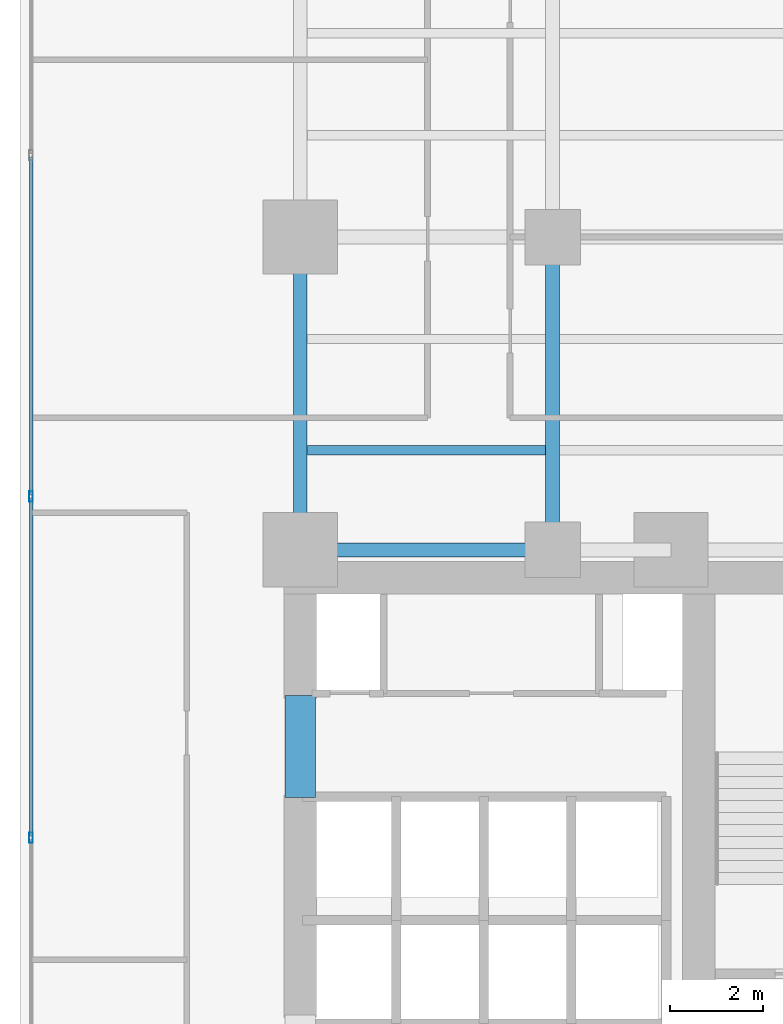
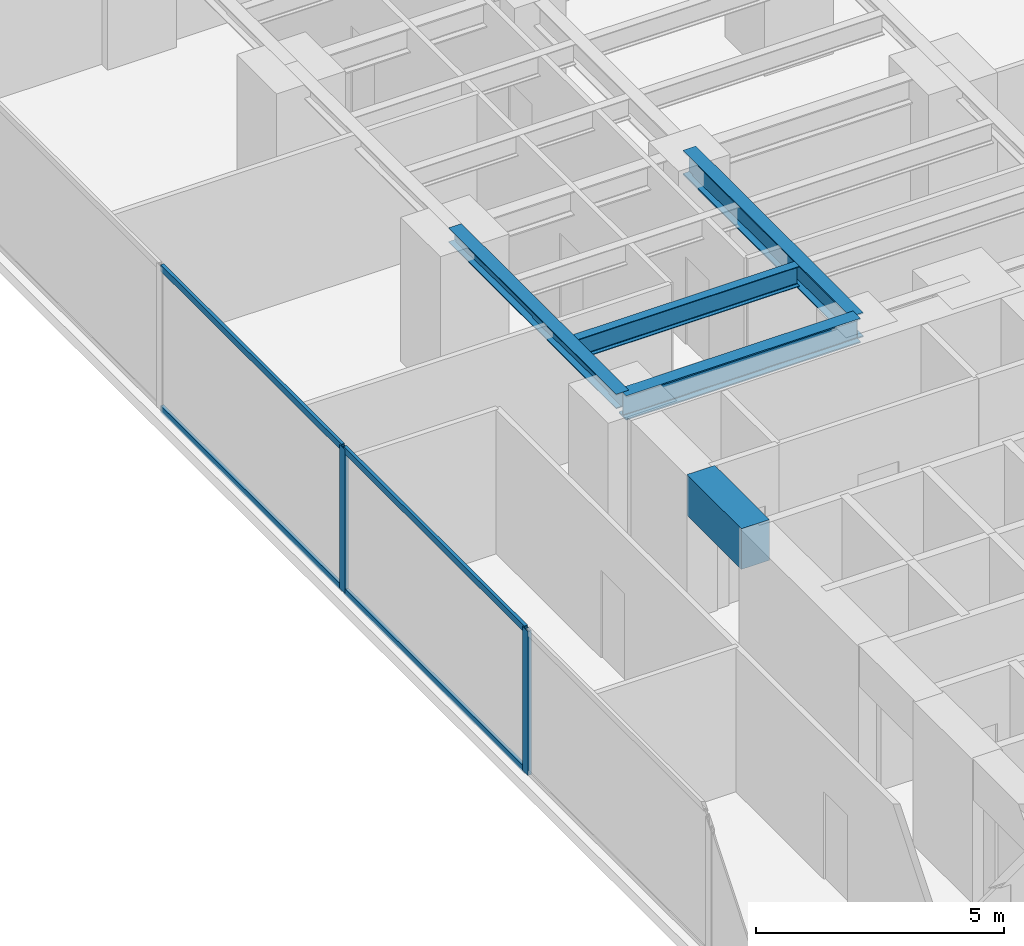
# One storey, part 6 of 27: 6 members, 5 beams, 1 element without a shape of its own.
"""IFC4 building model written with IfcOpenShell, lengths in metres."""

import ifcopenshell
import ifcopenshell.guid

model = None  # the IFC model being written
_history = None  # IfcOwnerHistory: only IFC2X3 demands one
_inside = {}  # id of a spatial element -> (the spatial element, [elements in it])
_under = {}  # id of a project, library or spatial element -> (it, [spatial elements below it])
_declared = {}  # id of a project -> (the project, [libraries it declares])
_typed = {}  # id of a type object -> (the type object, [elements of that type])
_made_of = {}  # id of a material, layer set ... -> (it, [elements and type objects made of it])


def new_model(schema):
    """Start an empty IFC model of exactly this schema.

    Asked for "IFC4X3", IfcOpenShell would pick the latest addendum, in which some entities
    have other attributes; the version numbers below select the first issue.
    IFC2X3 requires an IfcOwnerHistory on every rooted entity: one is made here for all.
    """
    global model, _history
    if schema == "IFC4X3":
        model = ifcopenshell.file(schema_version=(4, 3, 0, 0))
    else:
        model = ifcopenshell.file(schema=schema)
    _inside.clear()
    _under.clear()
    _declared.clear()
    _typed.clear()
    _made_of.clear()
    _history = None
    if model.schema == "IFC2X3":
        org = make("IfcOrganization", Name="unknown")
        user = make(
            "IfcPersonAndOrganization",
            ThePerson=make("IfcPerson", FamilyName="unknown"),
            TheOrganization=org,
        )
        app = make(
            "IfcApplication",
            ApplicationDeveloper=org,
            Version="unknown",
            ApplicationFullName="unknown",
            ApplicationIdentifier="unknown",
        )
        _history = make(
            "IfcOwnerHistory",
            OwningUser=user,
            OwningApplication=app,
            ChangeAction="ADDED",
            CreationDate=0,
        )
    return model


def make(cls, **values):
    """One entity of the class cls with the attributes given. An attribute that is None is left unset."""
    return model.create_entity(
        cls, **{name: value for name, value in values.items() if value is not None}
    )


def rooted(cls, **values):
    """An entity with a GlobalId (a new one), such as an element, a storey or a relation."""
    return make(cls, GlobalId=ifcopenshell.guid.new(), OwnerHistory=_history, **values)


def si_unit(unit_type, name, prefix=None):
    """IfcSIUnit, for example si_unit("LENGTHUNIT", "METRE", prefix="MILLI")."""
    return make("IfcSIUnit", UnitType=unit_type, Prefix=prefix, Name=name)


def assignment(units):
    """IfcUnitAssignment: the units of a project."""
    return None if units is None else make("IfcUnitAssignment", Units=units)


def point(xyz):
    """IfcCartesianPoint."""
    return None if xyz is None else make("IfcCartesianPoint", Coordinates=xyz)


def direction(xyz):
    """IfcDirection."""
    return None if xyz is None else make("IfcDirection", DirectionRatios=xyz)


def frame(location, z_axis=None, x_axis=None):
    """IfcAxis2Placement3D, a coordinate frame: its origin and axes. An axis left out is left unset."""
    return make(
        "IfcAxis2Placement3D",
        Location=point(location),
        Axis=direction(z_axis),
        RefDirection=direction(x_axis),
    )


def frame_2d(location, x_axis=None):
    """IfcAxis2Placement2D, a coordinate frame in the plane: its origin and x axis."""
    return make(
        "IfcAxis2Placement2D", Location=point(location), RefDirection=direction(x_axis)
    )


def origin():
    """The frame at (0, 0, 0) with its axes left unset."""
    return frame((0.0, 0.0, 0.0))


def origin_with_axes():
    """The frame at (0, 0, 0) with the z axis (0, 0, 1) and the x axis (1, 0, 0) written out."""
    return frame((0.0, 0.0, 0.0), z_axis=(0.0, 0.0, 1.0), x_axis=(1.0, 0.0, 0.0))


def origin_2d():
    """The frame at (0, 0) in the plane with its x axis left unset."""
    return frame_2d((0.0, 0.0))


def place(relative_to, where):
    """IfcLocalPlacement: puts the frame where relative to a parent placement (None: the world)."""
    return make(
        "IfcLocalPlacement", PlacementRelTo=relative_to, RelativePlacement=where
    )


def context(
    kind, dimensions, precision=None, world=None, true_north=None, identifier=None
):
    """IfcGeometricRepresentationContext, for example the 3D "Model" context."""
    return make(
        "IfcGeometricRepresentationContext",
        ContextIdentifier=identifier,
        ContextType=kind,
        CoordinateSpaceDimension=dimensions,
        Precision=precision,
        WorldCoordinateSystem=world,
        TrueNorth=true_north,
    )


def subcontext(parent, identifier, kind, view, scale=None):
    """IfcGeometricRepresentationSubContext, for example "Body" below "Model"."""
    return make(
        "IfcGeometricRepresentationSubContext",
        ContextIdentifier=identifier,
        ContextType=kind,
        ParentContext=parent,
        TargetScale=scale,
        TargetView=view,
    )


def project(units=None, contexts=None):
    """IfcProject with its units and contexts."""
    return rooted(
        "IfcProject",
        Name="project",
        RepresentationContexts=contexts,
        UnitsInContext=assignment(units),
    )


def spatial(cls, under=None, at=None, **own):
    """A site, building, storey or space (cls), placed at a placement, below another one or the project."""
    s = rooted(cls, ObjectPlacement=at, **own)
    if under is not None:
        _under.setdefault(under.id(), (under, []))[1].append(s)
    return s


def profile(cls, at=None, kind="AREA", **sizes):
    """A parametric profile (cls). Its sizes go by their IFC names, for example OverallWidth=200.0."""
    return make(cls, ProfileType=kind, Position=at, **sizes)


def rectangle(**sizes):
    """IfcRectangleProfileDef."""
    return profile("IfcRectangleProfileDef", **sizes)


def hollow_rectangle(**sizes):
    """IfcRectangleHollowProfileDef."""
    return profile("IfcRectangleHollowProfileDef", **sizes)


def i_section(**sizes):
    """IfcIShapeProfileDef."""
    return profile("IfcIShapeProfileDef", **sizes)


def extrude(swept, where, along, depth):
    """IfcExtrudedAreaSolid: the profile swept, set in the frame where, extruded along a direction by depth."""
    return make(
        "IfcExtrudedAreaSolid",
        SweptArea=swept,
        Position=where,
        ExtrudedDirection=direction(along),
        Depth=depth,
    )


def shape(context_of_items, identifier, shape_type, items):
    """IfcShapeRepresentation: the items that make up one representation, for example the "Body"."""
    return make(
        "IfcShapeRepresentation",
        ContextOfItems=context_of_items,
        RepresentationIdentifier=identifier,
        RepresentationType=shape_type,
        Items=items,
    )


def source(mapping_origin, context_of_items, identifier, shape_type, items):
    """IfcRepresentationMap: a shape defined once, which mapped items show again and again."""
    return make(
        "IfcRepresentationMap",
        MappingOrigin=mapping_origin,
        MappedRepresentation=shape(context_of_items, identifier, shape_type, items),
    )


def transform(
    local_origin,
    x_axis=None,
    y_axis=None,
    z_axis=None,
    scale=None,
    scale2=None,
    scale3=None,
    uniform=True,
):
    """IfcCartesianTransformationOperator3D, or its non-uniform kind. x_axis, y_axis, z_axis: its Axis1, 2, 3."""
    if uniform:
        return make(
            "IfcCartesianTransformationOperator3D",
            Axis1=direction(x_axis),
            Axis2=direction(y_axis),
            LocalOrigin=point(local_origin),
            Scale=scale,
            Axis3=direction(z_axis),
        )
    return make(
        "IfcCartesianTransformationOperator3DnonUniform",
        Axis1=direction(x_axis),
        Axis2=direction(y_axis),
        LocalOrigin=point(local_origin),
        Scale=scale,
        Axis3=direction(z_axis),
        Scale2=scale2,
        Scale3=scale3,
    )


def mapped(mapping_source, mapping_target):
    """IfcMappedItem: shows the shape of a source again, moved by a transform."""
    return make(
        "IfcMappedItem", MappingSource=mapping_source, MappingTarget=mapping_target
    )


def material(Name=None, Category=None):
    """IfcMaterial."""
    return make("IfcMaterial", Name=Name, Category=Category)


def layer(
    of_material, thickness, ventilated=None, Name=None, Category=None, Priority=None
):
    """IfcMaterialLayer: one layer of a wall or slab, of a material (None: an air gap)."""
    return make(
        "IfcMaterialLayer",
        Material=of_material,
        LayerThickness=thickness,
        IsVentilated=ventilated,
        Name=Name,
        Category=Category,
        Priority=Priority,
    )


def layer_set(layers, Name=None):
    """IfcMaterialLayerSet."""
    return make("IfcMaterialLayerSet", MaterialLayers=layers, LayerSetName=Name)


def material_profile(
    of_material, cross_section, Name=None, Category=None, Priority=None
):
    """IfcMaterialProfile: a cross section and its material."""
    return make(
        "IfcMaterialProfile",
        Name=Name,
        Material=of_material,
        Profile=cross_section,
        Priority=Priority,
        Category=Category,
    )


def profile_set(profiles, Name=None, composite=None):
    """IfcMaterialProfileSet."""
    return make(
        "IfcMaterialProfileSet",
        Name=Name,
        MaterialProfiles=profiles,
        CompositeProfile=composite,
    )


def made_of(thing, what):
    """Note that an element or type object is made of a material, layer set ...; save() writes the relation."""
    if what is not None:
        _made_of.setdefault(what.id(), (what, []))[1].append(thing)
    return thing


def type_object(cls, material=None, **own):
    """A type object (cls), such as IfcWallType, which elements share."""
    return made_of(rooted(cls, **own), material)


def element(
    cls,
    number,
    at=None,
    inside=None,
    cuts=None,
    type_object=None,
    material=None,
    context=None,
    identifier="Body",
    shape_type=None,
    held_by="IfcProductDefinitionShape",
    body=None,
    shapes=None,
    **own,
):
    """One element of the class cls, such as IfcWall. Its Tag is "e" and its number.

    at: its placement. inside: the storey or other place that contains it. cuts: it is an
    opening in that element (IfcRelVoidsElement). A single representation is given by context,
    identifier, shape_type and body (its items); several are given by shapes. held_by: the class
    of the entity that holds the representations. save() writes the other relations.
    """
    e = rooted(cls, Tag="e%d" % number, ObjectPlacement=at, **own)
    if body is not None:
        shapes = [shape(context, identifier, shape_type, body)]
    if shapes is not None:
        e.Representation = make(held_by, Representations=shapes)
    if inside is not None:
        _inside.setdefault(inside.id(), (inside, []))[1].append(e)
    if cuts is not None:
        rooted(
            "IfcRelVoidsElement", RelatingBuildingElement=cuts, RelatedOpeningElement=e
        )
    if type_object is not None:
        _typed.setdefault(type_object.id(), (type_object, []))[1].append(e)
    return made_of(e, material)


def aggregate(whole, parts):
    """IfcRelAggregates: a whole, such as a stair, and the parts it consists of."""
    return rooted("IfcRelAggregates", RelatingObject=whole, RelatedObjects=parts)


def save(model, path):
    """Write the relations noted so far, then the file.

    IfcRelAggregates (storeys below a building ...), IfcRelContainedInSpatialStructure (elements
    in a storey), IfcRelDefinesByType, IfcRelAssociatesMaterial and IfcRelDeclares: one each for
    every whole, place, type object, material and project.
    """
    for whole, parts in _under.values():
        aggregate(whole, parts)
    for where, things in _inside.values():
        rooted(
            "IfcRelContainedInSpatialStructure",
            RelatedElements=things,
            RelatingStructure=where,
        )
    for kind, things in _typed.values():
        rooted("IfcRelDefinesByType", RelatedObjects=things, RelatingType=kind)
    for what, things in _made_of.values():
        rooted("IfcRelAssociatesMaterial", RelatedObjects=things, RelatingMaterial=what)
    for by, libraries in _declared.values():
        rooted("IfcRelDeclares", RelatingContext=by, RelatedDefinitions=libraries)
    model.write(path)


model = new_model("IFC4")

# Units and contexts
model_context = context("Model", 3, precision=1e-05, world=origin(), true_north=direction((0.0, 1.0)))
body_context = subcontext(model_context, "Body", "Model", "MODEL_VIEW")
ifc_project = project(units=[si_unit("LENGTHUNIT", "METRE"), si_unit("AREAUNIT", "SQUARE_METRE"), si_unit("VOLUMEUNIT", "CUBIC_METRE"), si_unit("PLANEANGLEUNIT", "RADIAN"), si_unit("MASSUNIT", "GRAM", prefix="KILO")], contexts=[model_context])

# Site, building, storey
site_placement = place(None, origin())
site = spatial("IfcSite", under=ifc_project, at=site_placement, CompositionType="ELEMENT")
building_placement = place(site_placement, origin())
building = spatial("IfcBuilding", under=site, at=building_placement, Name="Kolvaren Waterfront Exchange", CompositionType="ELEMENT")
storey_placement = place(building_placement, frame((0.0, 0.0, 33.39990234375)))
storey = spatial("IfcBuildingStorey", under=building, at=storey_placement, Name="L08", CompositionType="ELEMENT", Elevation=33.39990234375)

# Beams
ifc_material_1 = material(Name="Steel S355", Category="steel")
ifc_material_profile_1 = material_profile(ifc_material_1, i_section(OverallWidth=0.300048828125, OverallDepth=0.360107421875, WebThickness=0.012451171875, FlangeThickness=0.0224609375, FilletRadius=0.027099609375, at=origin_2d()), Name="HEB360")
ifc_profile_set_1 = profile_set([ifc_material_profile_1], Name="Steel S355")
beam_type_1 = type_object("IfcBeamType", Name="STR-BM-HEB360", PredefinedType="SPANDREL", material=ifc_profile_set_1)
beam_1_placement = place(storey_placement, frame((7.449951171875, 24.449951171875, 3.360107421875), z_axis=(0.0, 1.0, 0.0), x_axis=(-1.0, 0.0, 0.0)))
element("IfcBeam", 1, at=beam_1_placement, inside=storey, type_object=beam_type_1, Name="L08 north-arm edge beam 1", PredefinedType="SPANDREL", context=body_context, shape_type="SweptSolid", body=[
    extrude(i_section(OverallWidth=0.300048828125, OverallDepth=0.360107421875, WebThickness=0.012451171875, FlangeThickness=0.0224609375, FilletRadius=0.027099609375, at=origin_2d()), origin(), (0.0, 0.0, 1.0), 6.75),
])
ifc_material_profile_2 = material_profile(ifc_material_1, i_section(OverallWidth=0.300048828125, OverallDepth=0.60009765625, WebThickness=0.015380859375, FlangeThickness=0.030029296875, FilletRadius=0.027099609375, at=origin_2d()), Name="HEB600")
ifc_profile_set_2 = profile_set([ifc_material_profile_2], Name="Steel S355")
beam_type_2 = type_object("IfcBeamType", Name="STR-BM-HEB600", PredefinedType="BEAM", material=ifc_profile_set_2)
beam_2_placement = place(storey_placement, frame((7.449951171875, 24.449951171875, 3.239990234375), z_axis=(1.0, 0.0, 0.0), x_axis=(0.0, 1.0, 0.0)))
element("IfcBeam", 2, at=beam_2_placement, inside=storey, type_object=beam_type_2, Name="L08 north-arm girder 1A", PredefinedType="BEAM", context=body_context, shape_type="SweptSolid", body=[
    extrude(i_section(OverallWidth=0.300048828125, OverallDepth=0.60009765625, WebThickness=0.015380859375, FlangeThickness=0.030029296875, FilletRadius=0.027099609375, at=origin_2d()), origin(), (0.0, 0.0, 1.0), 5.449951171875),
])
beam_3_placement = place(storey_placement, frame((12.89990234375, 24.449951171875, 3.239990234375), z_axis=(0.0, 1.0, 0.0), x_axis=(-1.0, 0.0, 0.0)))
element("IfcBeam", 3, at=beam_3_placement, inside=storey, type_object=beam_type_2, Name="L08 north-arm edge beam 1", PredefinedType="BEAM", context=body_context, shape_type="SweptSolid", body=[
    extrude(i_section(OverallWidth=0.300048828125, OverallDepth=0.60009765625, WebThickness=0.015380859375, FlangeThickness=0.030029296875, FilletRadius=0.027099609375, at=origin_2d()), origin(), (0.0, 0.0, 1.0), 6.75),
])
ifc_material_profile_3 = material_profile(ifc_material_1, i_section(OverallWidth=0.199951171875, OverallDepth=0.5, WebThickness=0.01025390625, FlangeThickness=0.01611328125, FilletRadius=0.02099609375, at=origin_2d()), Name="IPE500")
ifc_profile_set_3 = profile_set([ifc_material_profile_3], Name="Steel S355")
beam_type_3 = type_object("IfcBeamType", Name="STR-BM-IPE500", PredefinedType="JOIST", material=ifc_profile_set_3)
beam_4_placement = place(storey_placement, frame((7.60205078125, 26.60009765625, 3.2900390625), z_axis=(1.0, 0.0, 0.0), x_axis=(0.0, 1.0, 0.0)))
element("IfcBeam", 4, at=beam_4_placement, inside=storey, type_object=beam_type_3, Name="L08 north-arm composite joist 1A", PredefinedType="JOIST", context=body_context, shape_type="SweptSolid", body=[
    extrude(i_section(OverallWidth=0.199951171875, OverallDepth=0.5, WebThickness=0.01025390625, FlangeThickness=0.01611328125, FilletRadius=0.02099609375, at=origin_2d()), origin(), (0.0, 0.0, 1.0), 5.14599609375),
])
ifc_material_2 = material(Name="Concrete C60/75", Category="concrete")
ifc_material_profile_4 = material_profile(ifc_material_2, rectangle(XDim=0.64990234375, YDim=1.0, at=origin_2d()), Name="RC-CB-1000x650")
ifc_profile_set_4 = profile_set([ifc_material_profile_4], Name="Concrete C60/75")
beam_type_4 = type_object("IfcBeamType", Name="STR-CB-1000", PredefinedType="SPANDREL", material=ifc_profile_set_4)
beam_5_placement = place(storey_placement, frame((7.449951171875, 19.10009765625, 3.0400390625), z_axis=(0.0, 1.0, 0.0), x_axis=(-1.0, 0.0, 0.0)))
element("IfcBeam", 5, at=beam_5_placement, inside=storey, type_object=beam_type_4, Name="L08 core coupling beam 5", PredefinedType="SPANDREL", context=body_context, shape_type="SweptSolid", body=[
    extrude(rectangle(XDim=0.64990234375, YDim=1.0, at=origin_2d()), origin(), (0.0, 0.0, 1.0), 2.199951171875),
])

# Curtain wall, members
ifc_material_3 = material(Name="Anodised aluminium 6063-T6", Category="aluminium")
ifc_layer = layer(ifc_material_3, 0.219970703125, Name="Anodised aluminium 6063-T6")
ifc_layer_set = layer_set([ifc_layer], Name="Anodised aluminium 6063-T6")
curtain_wall_type = type_object("IfcCurtainWallType", Name="ARC-CW-SYS2", PredefinedType="USERDEFINED", material=ifc_layer_set)
curtain_wall_placement = place(storey_placement, origin())
curtain_wall = element("IfcCurtainWall", 6, at=curtain_wall_placement, inside=storey, type_object=curtain_wall_type, Name="L08 stick curtain wall CW2 (CW-L08-W)", ObjectType="STICK CURTAIN WALL", PredefinedType="USERDEFINED")
ifc_material_profile_5 = material_profile(ifc_material_3, hollow_rectangle(XDim=0.074951171875, YDim=0.159912109375, WallThickness=0.00439453125, at=origin_2d()), Name="ALU-TRN-160x75x4.5")
ifc_profile_set_5 = profile_set([ifc_material_profile_5], Name="Anodised aluminium 6063-T6")
member_type_1 = type_object("IfcMemberType", Name="ARC-CWT-160", PredefinedType="USERDEFINED", material=ifc_profile_set_5)
shared_shape_1 = source(origin_with_axes(), body_context, "Body", "SweptSolid", [
    extrude(hollow_rectangle(XDim=0.074951171875, YDim=0.159912109375, WallThickness=0.00439453125, at=origin_2d()), origin(), (0.0, 0.0, 1.0), 7.28662109375),
])
member_1_placement = place(storey_placement, frame((1.639892578125, 18.2734375, 0.03759765625), z_axis=(0.0, 1.0, 0.0), x_axis=(-1.0, 0.0, 0.0)))
member_1 = element("IfcMember", 7, at=member_1_placement, type_object=member_type_1, Name="CW2 transom 3.1", ObjectType="TRANSOM", PredefinedType="USERDEFINED", context=body_context, shape_type="MappedRepresentation", body=[
    mapped(shared_shape_1, transform((0.0, 0.0, 0.0), x_axis=(1.0, 0.0, 0.0), y_axis=(0.0, 1.0, 0.0), z_axis=(0.0, 0.0, 1.0), scale=1.0)),
])
member_2_placement = place(storey_placement, frame((1.639892578125, 18.2734375, 3.502685546875), z_axis=(0.0, 1.0, 0.0), x_axis=(-1.0, 0.0, 0.0)))
member_2 = element("IfcMember", 8, at=member_2_placement, type_object=member_type_1, Name="CW2 transom 3.2", ObjectType="TRANSOM", PredefinedType="USERDEFINED", context=body_context, shape_type="MappedRepresentation", body=[
    mapped(shared_shape_1, transform((0.0, 0.0, 0.0), x_axis=(1.0, 0.0, 0.0), y_axis=(0.0, 1.0, 0.0), z_axis=(0.0, 0.0, 1.0), scale=1.0)),
])
shared_shape_2 = source(origin_with_axes(), body_context, "Body", "SweptSolid", [
    extrude(hollow_rectangle(XDim=0.074951171875, YDim=0.159912109375, WallThickness=0.00439453125, at=origin_2d()), origin(), (0.0, 0.0, 1.0), 7.286865234375),
])
member_3_placement = place(storey_placement, frame((1.639892578125, 25.639892578125, 0.03759765625), z_axis=(0.0, 1.0, 0.0), x_axis=(-1.0, 0.0, 0.0)))
member_3 = element("IfcMember", 9, at=member_3_placement, type_object=member_type_1, Name="CW2 transom 4.1", ObjectType="TRANSOM", PredefinedType="USERDEFINED", context=body_context, shape_type="MappedRepresentation", body=[
    mapped(shared_shape_2, transform((0.0, 0.0, 0.0), x_axis=(1.0, 0.0, 0.0), y_axis=(0.0, 1.0, 0.0), z_axis=(0.0, 0.0, 1.0), scale=1.0)),
])
member_4_placement = place(storey_placement, frame((1.639892578125, 25.639892578125, 3.502685546875), z_axis=(0.0, 1.0, 0.0), x_axis=(-1.0, 0.0, 0.0)))
member_4 = element("IfcMember", 10, at=member_4_placement, type_object=member_type_1, Name="CW2 transom 4.2", ObjectType="TRANSOM", PredefinedType="USERDEFINED", context=body_context, shape_type="MappedRepresentation", body=[
    mapped(shared_shape_2, transform((0.0, 0.0, 0.0), x_axis=(1.0, 0.0, 0.0), y_axis=(0.0, 1.0, 0.0), z_axis=(0.0, 0.0, 1.0), scale=1.0)),
])
ifc_material_profile_6 = material_profile(ifc_material_3, hollow_rectangle(XDim=0.080078125, YDim=0.219970703125, WallThickness=0.0048828125, at=origin_2d()), Name="ALU-MUL-220x80x5")
ifc_profile_set_6 = profile_set([ifc_material_profile_6], Name="Anodised aluminium 6063-T6")
member_type_2 = type_object("IfcMemberType", Name="ARC-CWM-220", PredefinedType="MULLION", material=ifc_profile_set_6)
shared_shape_3 = source(origin_with_axes(), body_context, "Body", "SweptSolid", [
    extrude(hollow_rectangle(XDim=0.080078125, YDim=0.219970703125, WallThickness=0.0048828125, at=origin_2d()), origin(), (0.0, 0.0, 1.0), 3.5400390625),
])
member_5_placement = place(storey_placement, frame((1.639892578125, 18.2333984375, 0.0), z_axis=(0.0, 0.0, 1.0), x_axis=(-1.0, 0.0, 0.0)))
member_5 = element("IfcMember", 11, at=member_5_placement, type_object=member_type_2, Name="CW2 mullion 3", PredefinedType="MULLION", context=body_context, shape_type="MappedRepresentation", body=[
    mapped(shared_shape_3, transform((0.0, 0.0, 0.0), x_axis=(1.0, 0.0, 0.0), y_axis=(0.0, 1.0, 0.0), z_axis=(0.0, 0.0, 1.0), scale=1.0)),
])
member_6_placement = place(storey_placement, frame((1.639892578125, 25.60009765625, 0.0), z_axis=(0.0, 0.0, 1.0), x_axis=(-1.0, 0.0, 0.0)))
member_6 = element("IfcMember", 12, at=member_6_placement, type_object=member_type_2, Name="CW2 mullion 4", PredefinedType="MULLION", context=body_context, shape_type="MappedRepresentation", body=[
    mapped(shared_shape_3, transform((0.0, 0.0, 0.0), x_axis=(1.0, 0.0, 0.0), y_axis=(0.0, 1.0, 0.0), z_axis=(0.0, 0.0, 1.0), scale=1.0)),
])
aggregate(curtain_wall, [member_5, member_6, member_1, member_2, member_3, member_4])

save(model, "model.ifc")
